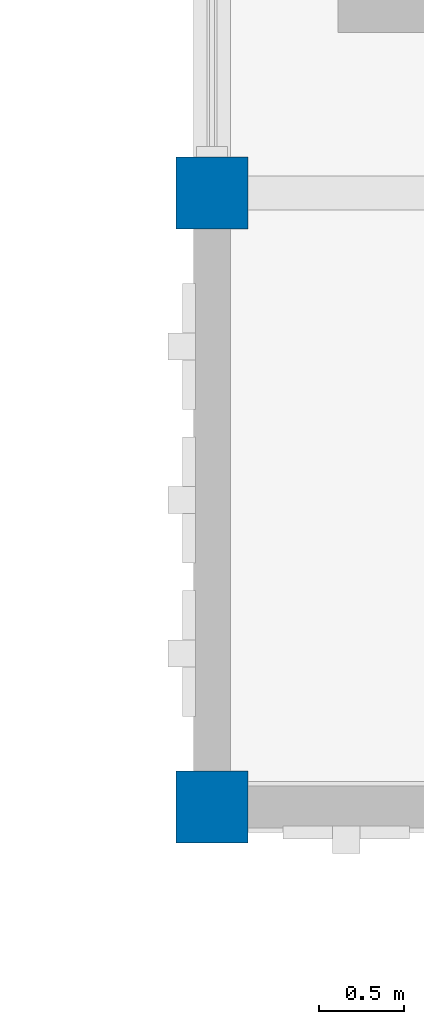
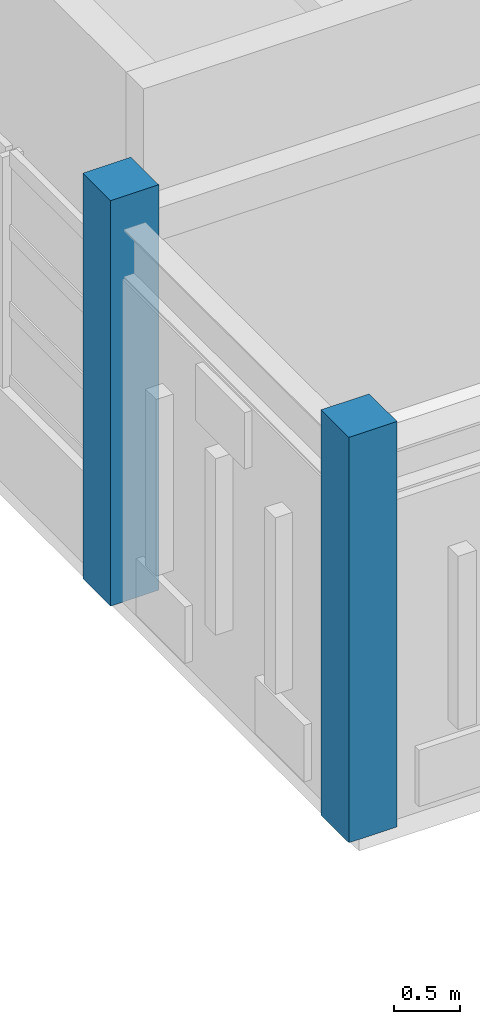
# One storey, part 4 of 46: 2 columns.
"""IFC4 building model written with IfcOpenShell, lengths in metres."""

import ifcopenshell
import ifcopenshell.guid

model = None  # the IFC model being written
_history = None  # IfcOwnerHistory: only IFC2X3 demands one
_inside = {}  # id of a spatial element -> (the spatial element, [elements in it])
_under = {}  # id of a project, library or spatial element -> (it, [spatial elements below it])
_declared = {}  # id of a project -> (the project, [libraries it declares])
_typed = {}  # id of a type object -> (the type object, [elements of that type])
_made_of = {}  # id of a material, layer set ... -> (it, [elements and type objects made of it])


def new_model(schema):
    """Start an empty IFC model of exactly this schema.

    Asked for "IFC4X3", IfcOpenShell would pick the latest addendum, in which some entities
    have other attributes; the version numbers below select the first issue.
    IFC2X3 requires an IfcOwnerHistory on every rooted entity: one is made here for all.
    """
    global model, _history
    if schema == "IFC4X3":
        model = ifcopenshell.file(schema_version=(4, 3, 0, 0))
    else:
        model = ifcopenshell.file(schema=schema)
    _inside.clear()
    _under.clear()
    _declared.clear()
    _typed.clear()
    _made_of.clear()
    _history = None
    if model.schema == "IFC2X3":
        org = make("IfcOrganization", Name="unknown")
        user = make(
            "IfcPersonAndOrganization",
            ThePerson=make("IfcPerson", FamilyName="unknown"),
            TheOrganization=org,
        )
        app = make(
            "IfcApplication",
            ApplicationDeveloper=org,
            Version="unknown",
            ApplicationFullName="unknown",
            ApplicationIdentifier="unknown",
        )
        _history = make(
            "IfcOwnerHistory",
            OwningUser=user,
            OwningApplication=app,
            ChangeAction="ADDED",
            CreationDate=0,
        )
    return model


def make(cls, **values):
    """One entity of the class cls with the attributes given. An attribute that is None is left unset."""
    return model.create_entity(
        cls, **{name: value for name, value in values.items() if value is not None}
    )


def rooted(cls, **values):
    """An entity with a GlobalId (a new one), such as an element, a storey or a relation."""
    return make(cls, GlobalId=ifcopenshell.guid.new(), OwnerHistory=_history, **values)


def si_unit(unit_type, name, prefix=None):
    """IfcSIUnit, for example si_unit("LENGTHUNIT", "METRE", prefix="MILLI")."""
    return make("IfcSIUnit", UnitType=unit_type, Prefix=prefix, Name=name)


def assignment(units):
    """IfcUnitAssignment: the units of a project."""
    return None if units is None else make("IfcUnitAssignment", Units=units)


def point(xyz):
    """IfcCartesianPoint."""
    return None if xyz is None else make("IfcCartesianPoint", Coordinates=xyz)


def direction(xyz):
    """IfcDirection."""
    return None if xyz is None else make("IfcDirection", DirectionRatios=xyz)


def frame(location, z_axis=None, x_axis=None):
    """IfcAxis2Placement3D, a coordinate frame: its origin and axes. An axis left out is left unset."""
    return make(
        "IfcAxis2Placement3D",
        Location=point(location),
        Axis=direction(z_axis),
        RefDirection=direction(x_axis),
    )


def frame_2d(location, x_axis=None):
    """IfcAxis2Placement2D, a coordinate frame in the plane: its origin and x axis."""
    return make(
        "IfcAxis2Placement2D", Location=point(location), RefDirection=direction(x_axis)
    )


def origin():
    """The frame at (0, 0, 0) with its axes left unset."""
    return frame((0.0, 0.0, 0.0))


def origin_2d():
    """The frame at (0, 0) in the plane with its x axis left unset."""
    return frame_2d((0.0, 0.0))


def place(relative_to, where):
    """IfcLocalPlacement: puts the frame where relative to a parent placement (None: the world)."""
    return make(
        "IfcLocalPlacement", PlacementRelTo=relative_to, RelativePlacement=where
    )


def context(
    kind, dimensions, precision=None, world=None, true_north=None, identifier=None
):
    """IfcGeometricRepresentationContext, for example the 3D "Model" context."""
    return make(
        "IfcGeometricRepresentationContext",
        ContextIdentifier=identifier,
        ContextType=kind,
        CoordinateSpaceDimension=dimensions,
        Precision=precision,
        WorldCoordinateSystem=world,
        TrueNorth=true_north,
    )


def subcontext(parent, identifier, kind, view, scale=None):
    """IfcGeometricRepresentationSubContext, for example "Body" below "Model"."""
    return make(
        "IfcGeometricRepresentationSubContext",
        ContextIdentifier=identifier,
        ContextType=kind,
        ParentContext=parent,
        TargetScale=scale,
        TargetView=view,
    )


def project(units=None, contexts=None):
    """IfcProject with its units and contexts."""
    return rooted(
        "IfcProject",
        Name="project",
        RepresentationContexts=contexts,
        UnitsInContext=assignment(units),
    )


def spatial(cls, under=None, at=None, **own):
    """A site, building, storey or space (cls), placed at a placement, below another one or the project."""
    s = rooted(cls, ObjectPlacement=at, **own)
    if under is not None:
        _under.setdefault(under.id(), (under, []))[1].append(s)
    return s


def profile(cls, at=None, kind="AREA", **sizes):
    """A parametric profile (cls). Its sizes go by their IFC names, for example OverallWidth=200.0."""
    return make(cls, ProfileType=kind, Position=at, **sizes)


def rectangle(**sizes):
    """IfcRectangleProfileDef."""
    return profile("IfcRectangleProfileDef", **sizes)


def extrude(swept, where, along, depth):
    """IfcExtrudedAreaSolid: the profile swept, set in the frame where, extruded along a direction by depth."""
    return make(
        "IfcExtrudedAreaSolid",
        SweptArea=swept,
        Position=where,
        ExtrudedDirection=direction(along),
        Depth=depth,
    )


def shape(context_of_items, identifier, shape_type, items):
    """IfcShapeRepresentation: the items that make up one representation, for example the "Body"."""
    return make(
        "IfcShapeRepresentation",
        ContextOfItems=context_of_items,
        RepresentationIdentifier=identifier,
        RepresentationType=shape_type,
        Items=items,
    )


def material(Name=None, Category=None):
    """IfcMaterial."""
    return make("IfcMaterial", Name=Name, Category=Category)


def material_profile(
    of_material, cross_section, Name=None, Category=None, Priority=None
):
    """IfcMaterialProfile: a cross section and its material."""
    return make(
        "IfcMaterialProfile",
        Name=Name,
        Material=of_material,
        Profile=cross_section,
        Priority=Priority,
        Category=Category,
    )


def profile_set(profiles, Name=None, composite=None):
    """IfcMaterialProfileSet."""
    return make(
        "IfcMaterialProfileSet",
        Name=Name,
        MaterialProfiles=profiles,
        CompositeProfile=composite,
    )


def made_of(thing, what):
    """Note that an element or type object is made of a material, layer set ...; save() writes the relation."""
    if what is not None:
        _made_of.setdefault(what.id(), (what, []))[1].append(thing)
    return thing


def type_object(cls, material=None, **own):
    """A type object (cls), such as IfcWallType, which elements share."""
    return made_of(rooted(cls, **own), material)


def element(
    cls,
    number,
    at=None,
    inside=None,
    cuts=None,
    type_object=None,
    material=None,
    context=None,
    identifier="Body",
    shape_type=None,
    held_by="IfcProductDefinitionShape",
    body=None,
    shapes=None,
    **own,
):
    """One element of the class cls, such as IfcWall. Its Tag is "e" and its number.

    at: its placement. inside: the storey or other place that contains it. cuts: it is an
    opening in that element (IfcRelVoidsElement). A single representation is given by context,
    identifier, shape_type and body (its items); several are given by shapes. held_by: the class
    of the entity that holds the representations. save() writes the other relations.
    """
    e = rooted(cls, Tag="e%d" % number, ObjectPlacement=at, **own)
    if body is not None:
        shapes = [shape(context, identifier, shape_type, body)]
    if shapes is not None:
        e.Representation = make(held_by, Representations=shapes)
    if inside is not None:
        _inside.setdefault(inside.id(), (inside, []))[1].append(e)
    if cuts is not None:
        rooted(
            "IfcRelVoidsElement", RelatingBuildingElement=cuts, RelatedOpeningElement=e
        )
    if type_object is not None:
        _typed.setdefault(type_object.id(), (type_object, []))[1].append(e)
    return made_of(e, material)


def aggregate(whole, parts):
    """IfcRelAggregates: a whole, such as a stair, and the parts it consists of."""
    return rooted("IfcRelAggregates", RelatingObject=whole, RelatedObjects=parts)


def save(model, path):
    """Write the relations noted so far, then the file.

    IfcRelAggregates (storeys below a building ...), IfcRelContainedInSpatialStructure (elements
    in a storey), IfcRelDefinesByType, IfcRelAssociatesMaterial and IfcRelDeclares: one each for
    every whole, place, type object, material and project.
    """
    for whole, parts in _under.values():
        aggregate(whole, parts)
    for where, things in _inside.values():
        rooted(
            "IfcRelContainedInSpatialStructure",
            RelatedElements=things,
            RelatingStructure=where,
        )
    for kind, things in _typed.values():
        rooted("IfcRelDefinesByType", RelatedObjects=things, RelatingType=kind)
    for what, things in _made_of.values():
        rooted("IfcRelAssociatesMaterial", RelatedObjects=things, RelatingMaterial=what)
    for by, libraries in _declared.values():
        rooted("IfcRelDeclares", RelatingContext=by, RelatedDefinitions=libraries)
    model.write(path)


model = new_model("IFC4")

# Units and contexts
model_context = context("Model", 3, precision=1e-05, world=origin(), true_north=direction((0.0, 1.0)))
body_context = subcontext(model_context, "Body", "Model", "MODEL_VIEW")
ifc_project = project(units=[si_unit("LENGTHUNIT", "METRE"), si_unit("AREAUNIT", "SQUARE_METRE"), si_unit("VOLUMEUNIT", "CUBIC_METRE"), si_unit("PLANEANGLEUNIT", "RADIAN"), si_unit("MASSUNIT", "GRAM", prefix="KILO")], contexts=[model_context])

# Site, building, storey
site_placement = place(None, origin())
site = spatial("IfcSite", under=ifc_project, at=site_placement, CompositionType="ELEMENT")
building_placement = place(site_placement, origin())
building = spatial("IfcBuilding", under=site, at=building_placement, Name="Nzembalo Square Collegiate School", CompositionType="ELEMENT")
storey_placement = place(building_placement, frame((0.0, 0.0, 17.340087890625)))
storey = spatial("IfcBuildingStorey", under=building, at=storey_placement, Name="L04", CompositionType="ELEMENT", Elevation=17.340087890625)

# Columns
ifc_material = material(Name="Glulam GL28h", Category="wood")
ifc_material_profile = material_profile(ifc_material, rectangle(XDim=0.419921875, YDim=0.419921875, at=origin_2d()), Name="GL28h 420x420")
ifc_profile_set = profile_set([ifc_material_profile], Name="Glulam GL28h")
column_type = type_object("IfcColumnType", Name="C06", PredefinedType="COLUMN", material=ifc_profile_set)
for number, where, z_axis, x_axis, name in (
    (1, (130.800048828125, 79.199951171875, 0.0), (0.0, 0.0, 1.0), (1.0, 0.0, 0.0), "Column C06 L04 20/L"),
    (2, (130.800048828125, 82.800048828125, 0.0), (0.0, 0.0, 1.0), (1.0, 0.0, 0.0), "Column C06 L04 20/M"),
):
    element("IfcColumn", number, at=place(storey_placement, frame(where, z_axis=z_axis, x_axis=x_axis)), inside=storey, type_object=column_type, Name=name, PredefinedType="COLUMN", context=body_context, shape_type="SweptSolid", body=[
        extrude(rectangle(XDim=0.419921875, YDim=0.419921875, at=origin_2d()), origin(), (0.0, 0.0, 1.0), 3.739990234375),
    ])

save(model, "model.ifc")
